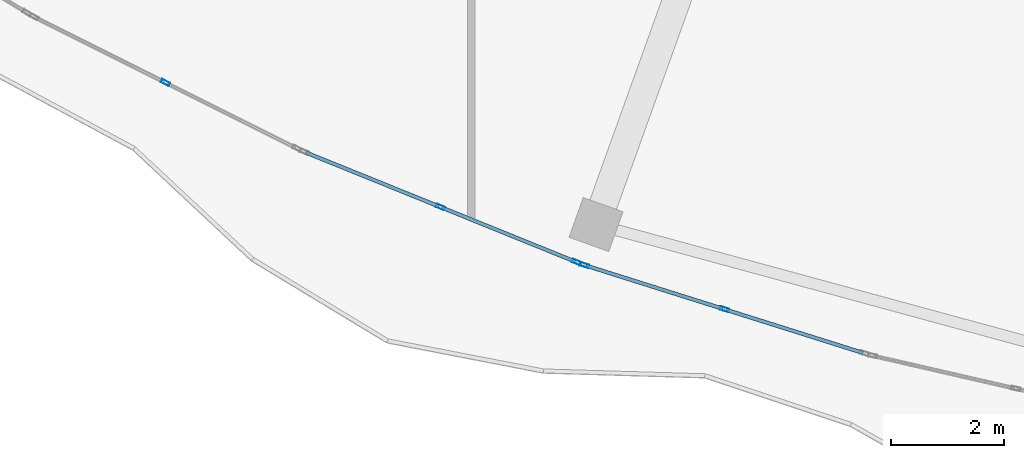
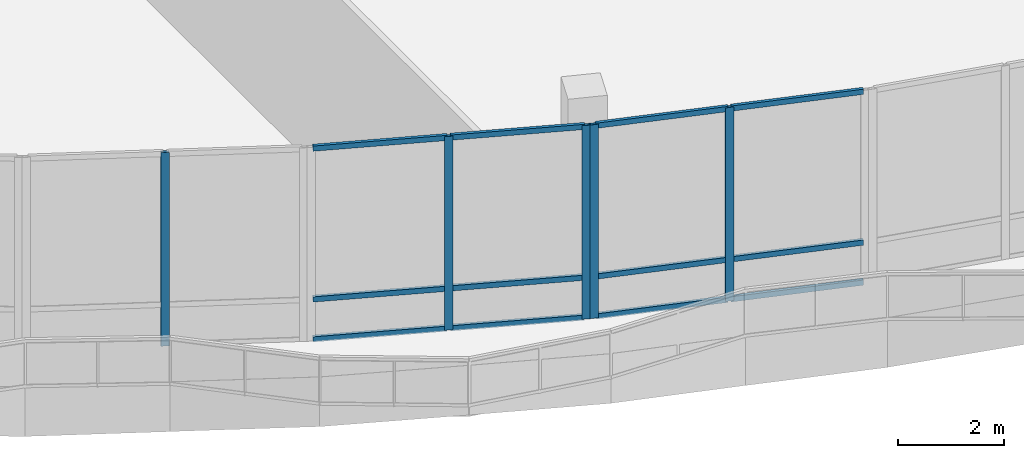
# One storey, part 14 of 168: 17 members, 3 elements without a shape of their own.
"""IFC4 building model written with IfcOpenShell, lengths in metres."""

from ifc_helpers import new_model, si_unit, direction, frame, origin, origin_2d, place, context, subcontext, project, spatial, hollow_rectangle, extrude, material, material_profile, profile_set, type_object, element, aggregate, save


model = new_model("IFC4")

# Units and contexts
model_context = context("Model", 3, precision=1e-05, world=origin(), true_north=direction((0.0, 1.0)))
body_context = subcontext(model_context, "Body", "Model", "MODEL_VIEW")
ifc_project = project(units=[si_unit("LENGTHUNIT", "METRE"), si_unit("AREAUNIT", "SQUARE_METRE"), si_unit("VOLUMEUNIT", "CUBIC_METRE"), si_unit("PLANEANGLEUNIT", "RADIAN"), si_unit("MASSUNIT", "GRAM", prefix="KILO")], contexts=[model_context])

# Site, building, storey
site_placement = place(None, origin())
site = spatial("IfcSite", under=ifc_project, at=site_placement, CompositionType="ELEMENT")
building_placement = place(site_placement, origin())
building = spatial("IfcBuilding", under=site, at=building_placement, Name="Selatvlak General Hospital", CompositionType="ELEMENT")
storey_placement = place(building_placement, frame((0.0, 0.0, 5.39990234375)))
storey = spatial("IfcBuildingStorey", under=building, at=storey_placement, Name="L01", CompositionType="ELEMENT", Elevation=5.39990234375)

# Curtain wall, members
ifc_material_1 = material(Name="Solar-control Low-E double glazing", Category="glass")
curtain_wall_type_1 = type_object("IfcCurtainWallType", Name="CW-CW-01", PredefinedType="USERDEFINED", material=ifc_material_1)
curtain_wall_1_placement = place(storey_placement, origin())
curtain_wall_1 = element("IfcCurtainWall", 1, at=curtain_wall_1_placement, inside=storey, type_object=curtain_wall_type_1, Name="Glazed facade curtain wall CW-L01-0179", ObjectType="UNITISED CURTAIN WALL", PredefinedType="USERDEFINED")
ifc_material_2 = material(Name="Dark anodised aluminium mullion", Category="aluminium")
ifc_material_profile_1 = material_profile(ifc_material_2, hollow_rectangle(XDim=0.06494140625, YDim=0.159912109375, WallThickness=0.00390625, at=origin_2d()), Name="AL-MUL 65x160x4")
ifc_profile_set_1 = profile_set([ifc_material_profile_1], Name="Dark anodised aluminium mullion")
member_type_1 = type_object("IfcMemberType", Name="CWM-01", PredefinedType="MULLION", material=ifc_profile_set_1)
member_1_placement = place(storey_placement, frame((35.700439453125, 15.180908203125, 0.0), z_axis=(0.0, 0.0, 1.0), x_axis=(-0.30046120424, -0.953794036858, 0.0)))
member_1 = element("IfcMember", 2, at=member_1_placement, type_object=member_type_1, Name="CW-01 mullion 2", PredefinedType="MULLION", context=body_context, shape_type="SweptSolid", body=[
    extrude(hollow_rectangle(XDim=0.06494140625, YDim=0.159912109375, WallThickness=0.00390625, at=origin_2d()), origin(), (0.0, 0.0, 1.0), 4.445068359375),
])
member_2_placement = place(storey_placement, frame((33.2109375, 15.96533203125, 0.0), z_axis=(0.0, 0.0, 1.0), x_axis=(-0.30046120424, -0.953794036858, 0.0)))
member_2 = element("IfcMember", 3, at=member_2_placement, type_object=member_type_1, Name="CW-01 mullion 3", PredefinedType="MULLION", context=body_context, shape_type="SweptSolid", body=[
    extrude(hollow_rectangle(XDim=0.06494140625, YDim=0.159912109375, WallThickness=0.00390625, at=origin_2d()), origin(), (0.0, 0.0, 1.0), 4.445068359375),
])

curtain_wall_type_2 = type_object("IfcCurtainWallType", Name="CW-CW-02", PredefinedType="USERDEFINED", material=ifc_material_1)
curtain_wall_2_placement = place(storey_placement, origin())
curtain_wall_2 = element("IfcCurtainWall", 4, at=curtain_wall_2_placement, inside=storey, type_object=curtain_wall_type_2, Name="Glazed facade curtain wall CW-L01-0180", ObjectType="UNITISED CURTAIN WALL", PredefinedType="USERDEFINED")
member_3_placement = place(storey_placement, frame((33.075927734375, 16.01708984375, 0.0), z_axis=(0.0, 0.0, 1.0), x_axis=(-0.375301112069, -0.926902948145, 0.0)))
member_3 = element("IfcMember", 5, at=member_3_placement, type_object=member_type_1, Name="CW-02 mullion 1", PredefinedType="MULLION", context=body_context, shape_type="SweptSolid", body=[
    extrude(hollow_rectangle(XDim=0.06494140625, YDim=0.159912109375, WallThickness=0.00390625, at=origin_2d()), origin(), (0.0, 0.0, 1.0), 4.445068359375),
])
member_4_placement = place(storey_placement, frame((30.656005859375, 16.9970703125, 0.0), z_axis=(0.0, 0.0, 1.0), x_axis=(-0.375301112069, -0.926902948145, 0.0)))
member_4 = element("IfcMember", 6, at=member_4_placement, type_object=member_type_1, Name="CW-02 mullion 2", PredefinedType="MULLION", context=body_context, shape_type="SweptSolid", body=[
    extrude(hollow_rectangle(XDim=0.06494140625, YDim=0.159912109375, WallThickness=0.00390625, at=origin_2d()), origin(), (0.0, 0.0, 1.0), 4.445068359375),
])

# Curtain wall, member
curtain_wall_3_placement = place(storey_placement, origin())
curtain_wall_3 = element("IfcCurtainWall", 7, at=curtain_wall_3_placement, inside=storey, type_object=curtain_wall_type_1, Name="Glazed facade curtain wall CW-L01-0181", ObjectType="UNITISED CURTAIN WALL", PredefinedType="USERDEFINED")
member_5_placement = place(storey_placement, frame((25.7705078125, 19.20703125, 0.0), z_axis=(0.0, 0.0, 1.0), x_axis=(-0.44759190875, -0.894237934345, 0.0)))
member_5 = element("IfcMember", 8, at=member_5_placement, type_object=member_type_1, Name="CW-01 mullion 2", PredefinedType="MULLION", context=body_context, shape_type="SweptSolid", body=[
    extrude(hollow_rectangle(XDim=0.06494140625, YDim=0.159912109375, WallThickness=0.00390625, at=origin_2d()), origin(), (0.0, 0.0, 1.0), 4.445068359375),
])
aggregate(curtain_wall_3, [member_5])

# Member
ifc_material_profile_2 = material_profile(ifc_material_2, hollow_rectangle(XDim=0.06494140625, YDim=0.1201171875, WallThickness=0.00390625, at=origin_2d()), Name="AL-TRN 65x120x4")
ifc_profile_set_2 = profile_set([ifc_material_profile_2], Name="Dark anodised aluminium mullion")
member_type_2 = type_object("IfcMemberType", Name="CWT-01", PredefinedType="USERDEFINED", material=ifc_profile_set_2)
member_6_placement = place(storey_placement, frame((38.158935546875, 14.406494140625, 0.03271484375), z_axis=(-0.953799882709, 0.300442646349, 0.0), x_axis=(-0.300442646349, -0.953799882709, 0.0)))
member_6 = element("IfcMember", 9, at=member_6_placement, type_object=member_type_2, Name="CW-01 transom 1.1", ObjectType="TRANSOM", PredefinedType="USERDEFINED", context=body_context, shape_type="SweptSolid", body=[
    extrude(hollow_rectangle(XDim=0.06494140625, YDim=0.1201171875, WallThickness=0.00390625, at=origin_2d()), origin(), (0.0, 0.0, 1.0), 2.545166015625),
])

member_7_placement = place(storey_placement, frame((38.158935546875, 14.406494140625, 0.9501953125), z_axis=(-0.953799882709, 0.300442646349, 0.0), x_axis=(-0.300442646349, -0.953799882709, 0.0)))
member_7 = element("IfcMember", 10, at=member_7_placement, type_object=member_type_2, Name="CW-01 transom 1.2", ObjectType="TRANSOM", PredefinedType="USERDEFINED", context=body_context, shape_type="SweptSolid", body=[
    extrude(hollow_rectangle(XDim=0.06494140625, YDim=0.1201171875, WallThickness=0.00390625, at=origin_2d()), origin(), (0.0, 0.0, 1.0), 2.545166015625),
])

member_8_placement = place(storey_placement, frame((38.158935546875, 14.406494140625, 4.41259765625), z_axis=(-0.953799882709, 0.300442646349, 0.0), x_axis=(-0.300442646349, -0.953799882709, 0.0)))
member_8 = element("IfcMember", 11, at=member_8_placement, type_object=member_type_2, Name="CW-01 transom 1.3", ObjectType="TRANSOM", PredefinedType="USERDEFINED", context=body_context, shape_type="SweptSolid", body=[
    extrude(hollow_rectangle(XDim=0.06494140625, YDim=0.1201171875, WallThickness=0.00390625, at=origin_2d()), origin(), (0.0, 0.0, 1.0), 2.545166015625),
])

member_9_placement = place(storey_placement, frame((35.66943359375, 15.190673828125, 0.03271484375), z_axis=(-0.953772390526, 0.300529910441, 0.0), x_axis=(-0.300529910441, -0.953772390526, 0.0)))
member_9 = element("IfcMember", 12, at=member_9_placement, type_object=member_type_2, Name="CW-01 transom 2.1", ObjectType="TRANSOM", PredefinedType="USERDEFINED", context=body_context, shape_type="SweptSolid", body=[
    extrude(hollow_rectangle(XDim=0.06494140625, YDim=0.1201171875, WallThickness=0.00390625, at=origin_2d()), origin(), (0.0, 0.0, 1.0), 2.545166015625),
])

member_10_placement = place(storey_placement, frame((35.66943359375, 15.190673828125, 0.9501953125), z_axis=(-0.953772390526, 0.300529910441, 0.0), x_axis=(-0.300529910441, -0.953772390526, 0.0)))
member_10 = element("IfcMember", 13, at=member_10_placement, type_object=member_type_2, Name="CW-01 transom 2.2", ObjectType="TRANSOM", PredefinedType="USERDEFINED", context=body_context, shape_type="SweptSolid", body=[
    extrude(hollow_rectangle(XDim=0.06494140625, YDim=0.1201171875, WallThickness=0.00390625, at=origin_2d()), origin(), (0.0, 0.0, 1.0), 2.545166015625),
])

member_11_placement = place(storey_placement, frame((35.66943359375, 15.190673828125, 4.41259765625), z_axis=(-0.953772390526, 0.300529910441, 0.0), x_axis=(-0.300529910441, -0.953772390526, 0.0)))
member_11 = element("IfcMember", 14, at=member_11_placement, type_object=member_type_2, Name="CW-01 transom 2.3", ObjectType="TRANSOM", PredefinedType="USERDEFINED", context=body_context, shape_type="SweptSolid", body=[
    extrude(hollow_rectangle(XDim=0.06494140625, YDim=0.1201171875, WallThickness=0.00390625, at=origin_2d()), origin(), (0.0, 0.0, 1.0), 2.545166015625),
])

aggregate(curtain_wall_1, [member_1, member_2, member_6, member_7, member_8, member_9, member_10, member_11])

member_12_placement = place(storey_placement, frame((33.045654296875, 16.029296875, 0.03271484375), z_axis=(-0.926880887581, 0.375355591722, 0.0), x_axis=(-0.375355591722, -0.926880887581, 0.0)))
member_12 = element("IfcMember", 15, at=member_12_placement, type_object=member_type_2, Name="CW-02 transom 1.1", ObjectType="TRANSOM", PredefinedType="USERDEFINED", context=body_context, shape_type="SweptSolid", body=[
    extrude(hollow_rectangle(XDim=0.06494140625, YDim=0.1201171875, WallThickness=0.00390625, at=origin_2d()), origin(), (0.0, 0.0, 1.0), 2.545654296875),
])

member_13_placement = place(storey_placement, frame((33.045654296875, 16.029296875, 0.9501953125), z_axis=(-0.926880887581, 0.375355591722, 0.0), x_axis=(-0.375355591722, -0.926880887581, 0.0)))
member_13 = element("IfcMember", 16, at=member_13_placement, type_object=member_type_2, Name="CW-02 transom 1.2", ObjectType="TRANSOM", PredefinedType="USERDEFINED", context=body_context, shape_type="SweptSolid", body=[
    extrude(hollow_rectangle(XDim=0.06494140625, YDim=0.1201171875, WallThickness=0.00390625, at=origin_2d()), origin(), (0.0, 0.0, 1.0), 2.545654296875),
])

member_14_placement = place(storey_placement, frame((33.045654296875, 16.029296875, 4.41259765625), z_axis=(-0.926880887581, 0.375355591722, 0.0), x_axis=(-0.375355591722, -0.926880887581, 0.0)))
member_14 = element("IfcMember", 17, at=member_14_placement, type_object=member_type_2, Name="CW-02 transom 1.3", ObjectType="TRANSOM", PredefinedType="USERDEFINED", context=body_context, shape_type="SweptSolid", body=[
    extrude(hollow_rectangle(XDim=0.06494140625, YDim=0.1201171875, WallThickness=0.00390625, at=origin_2d()), origin(), (0.0, 0.0, 1.0), 2.545654296875),
])

member_15_placement = place(storey_placement, frame((30.6259765625, 17.00927734375, 0.03271484375), z_axis=(-0.926914249948, 0.375273198142, 0.0), x_axis=(-0.375273198142, -0.926914249948, 0.0)))
member_15 = element("IfcMember", 18, at=member_15_placement, type_object=member_type_2, Name="CW-02 transom 2.1", ObjectType="TRANSOM", PredefinedType="USERDEFINED", context=body_context, shape_type="SweptSolid", body=[
    extrude(hollow_rectangle(XDim=0.06494140625, YDim=0.1201171875, WallThickness=0.00390625, at=origin_2d()), origin(), (0.0, 0.0, 1.0), 2.545654296875),
])

member_16_placement = place(storey_placement, frame((30.6259765625, 17.00927734375, 0.9501953125), z_axis=(-0.926914249948, 0.375273198142, 0.0), x_axis=(-0.375273198142, -0.926914249948, 0.0)))
member_16 = element("IfcMember", 19, at=member_16_placement, type_object=member_type_2, Name="CW-02 transom 2.2", ObjectType="TRANSOM", PredefinedType="USERDEFINED", context=body_context, shape_type="SweptSolid", body=[
    extrude(hollow_rectangle(XDim=0.06494140625, YDim=0.1201171875, WallThickness=0.00390625, at=origin_2d()), origin(), (0.0, 0.0, 1.0), 2.545654296875),
])

member_17_placement = place(storey_placement, frame((30.6259765625, 17.00927734375, 4.41259765625), z_axis=(-0.926914249948, 0.375273198142, 0.0), x_axis=(-0.375273198142, -0.926914249948, 0.0)))
member_17 = element("IfcMember", 20, at=member_17_placement, type_object=member_type_2, Name="CW-02 transom 2.3", ObjectType="TRANSOM", PredefinedType="USERDEFINED", context=body_context, shape_type="SweptSolid", body=[
    extrude(hollow_rectangle(XDim=0.06494140625, YDim=0.1201171875, WallThickness=0.00390625, at=origin_2d()), origin(), (0.0, 0.0, 1.0), 2.545654296875),
])

aggregate(curtain_wall_2, [member_3, member_4, member_12, member_13, member_14, member_15, member_16, member_17])

save(model, "model.ifc")
